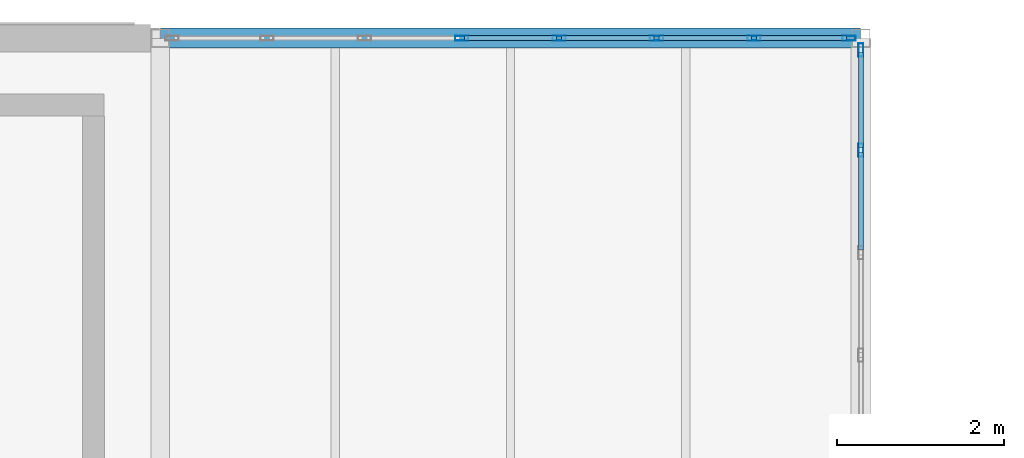
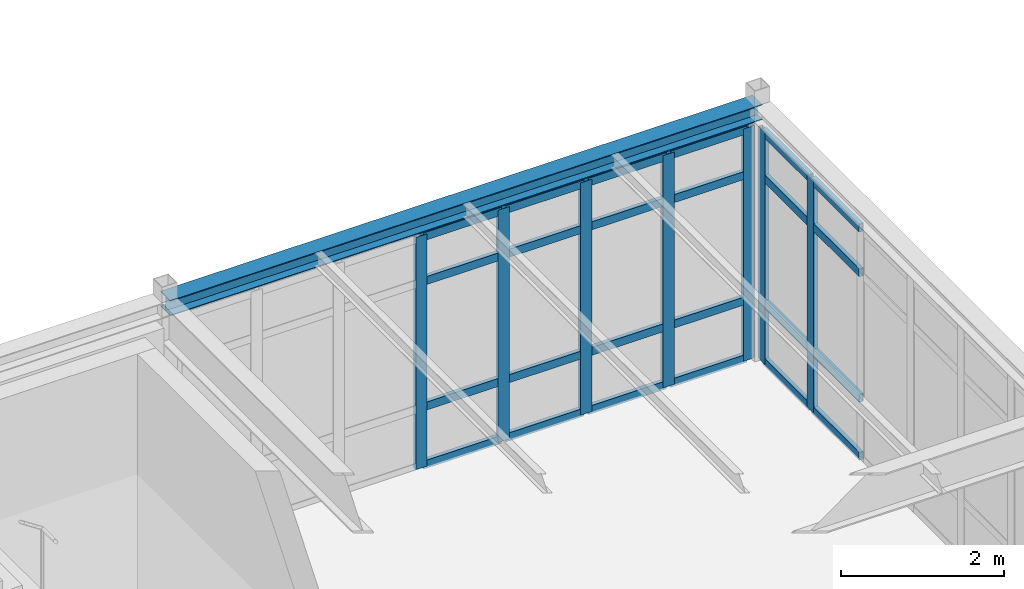
# One storey, part 53 of 114: 31 members, 1 beam, 2 elements without a shape of their own.
"""IFC4 building model written with IfcOpenShell, lengths in metres."""

import ifcopenshell
import ifcopenshell.guid

model = None  # the IFC model being written
_history = None  # IfcOwnerHistory: only IFC2X3 demands one
_inside = {}  # id of a spatial element -> (the spatial element, [elements in it])
_under = {}  # id of a project, library or spatial element -> (it, [spatial elements below it])
_declared = {}  # id of a project -> (the project, [libraries it declares])
_typed = {}  # id of a type object -> (the type object, [elements of that type])
_made_of = {}  # id of a material, layer set ... -> (it, [elements and type objects made of it])


def new_model(schema):
    """Start an empty IFC model of exactly this schema.

    Asked for "IFC4X3", IfcOpenShell would pick the latest addendum, in which some entities
    have other attributes; the version numbers below select the first issue.
    IFC2X3 requires an IfcOwnerHistory on every rooted entity: one is made here for all.
    """
    global model, _history
    if schema == "IFC4X3":
        model = ifcopenshell.file(schema_version=(4, 3, 0, 0))
    else:
        model = ifcopenshell.file(schema=schema)
    _inside.clear()
    _under.clear()
    _declared.clear()
    _typed.clear()
    _made_of.clear()
    _history = None
    if model.schema == "IFC2X3":
        org = make("IfcOrganization", Name="unknown")
        user = make(
            "IfcPersonAndOrganization",
            ThePerson=make("IfcPerson", FamilyName="unknown"),
            TheOrganization=org,
        )
        app = make(
            "IfcApplication",
            ApplicationDeveloper=org,
            Version="unknown",
            ApplicationFullName="unknown",
            ApplicationIdentifier="unknown",
        )
        _history = make(
            "IfcOwnerHistory",
            OwningUser=user,
            OwningApplication=app,
            ChangeAction="ADDED",
            CreationDate=0,
        )
    return model


def make(cls, **values):
    """One entity of the class cls with the attributes given. An attribute that is None is left unset."""
    return model.create_entity(
        cls, **{name: value for name, value in values.items() if value is not None}
    )


def rooted(cls, **values):
    """An entity with a GlobalId (a new one), such as an element, a storey or a relation."""
    return make(cls, GlobalId=ifcopenshell.guid.new(), OwnerHistory=_history, **values)


def si_unit(unit_type, name, prefix=None):
    """IfcSIUnit, for example si_unit("LENGTHUNIT", "METRE", prefix="MILLI")."""
    return make("IfcSIUnit", UnitType=unit_type, Prefix=prefix, Name=name)


def assignment(units):
    """IfcUnitAssignment: the units of a project."""
    return None if units is None else make("IfcUnitAssignment", Units=units)


def point(xyz):
    """IfcCartesianPoint."""
    return None if xyz is None else make("IfcCartesianPoint", Coordinates=xyz)


def direction(xyz):
    """IfcDirection."""
    return None if xyz is None else make("IfcDirection", DirectionRatios=xyz)


def frame(location, z_axis=None, x_axis=None):
    """IfcAxis2Placement3D, a coordinate frame: its origin and axes. An axis left out is left unset."""
    return make(
        "IfcAxis2Placement3D",
        Location=point(location),
        Axis=direction(z_axis),
        RefDirection=direction(x_axis),
    )


def frame_2d(location, x_axis=None):
    """IfcAxis2Placement2D, a coordinate frame in the plane: its origin and x axis."""
    return make(
        "IfcAxis2Placement2D", Location=point(location), RefDirection=direction(x_axis)
    )


def origin():
    """The frame at (0, 0, 0) with its axes left unset."""
    return frame((0.0, 0.0, 0.0))


def origin_2d():
    """The frame at (0, 0) in the plane with its x axis left unset."""
    return frame_2d((0.0, 0.0))


def place(relative_to, where):
    """IfcLocalPlacement: puts the frame where relative to a parent placement (None: the world)."""
    return make(
        "IfcLocalPlacement", PlacementRelTo=relative_to, RelativePlacement=where
    )


def context(
    kind, dimensions, precision=None, world=None, true_north=None, identifier=None
):
    """IfcGeometricRepresentationContext, for example the 3D "Model" context."""
    return make(
        "IfcGeometricRepresentationContext",
        ContextIdentifier=identifier,
        ContextType=kind,
        CoordinateSpaceDimension=dimensions,
        Precision=precision,
        WorldCoordinateSystem=world,
        TrueNorth=true_north,
    )


def subcontext(parent, identifier, kind, view, scale=None):
    """IfcGeometricRepresentationSubContext, for example "Body" below "Model"."""
    return make(
        "IfcGeometricRepresentationSubContext",
        ContextIdentifier=identifier,
        ContextType=kind,
        ParentContext=parent,
        TargetScale=scale,
        TargetView=view,
    )


def project(units=None, contexts=None):
    """IfcProject with its units and contexts."""
    return rooted(
        "IfcProject",
        Name="project",
        RepresentationContexts=contexts,
        UnitsInContext=assignment(units),
    )


def spatial(cls, under=None, at=None, **own):
    """A site, building, storey or space (cls), placed at a placement, below another one or the project."""
    s = rooted(cls, ObjectPlacement=at, **own)
    if under is not None:
        _under.setdefault(under.id(), (under, []))[1].append(s)
    return s


def profile(cls, at=None, kind="AREA", **sizes):
    """A parametric profile (cls). Its sizes go by their IFC names, for example OverallWidth=200.0."""
    return make(cls, ProfileType=kind, Position=at, **sizes)


def hollow_rectangle(**sizes):
    """IfcRectangleHollowProfileDef."""
    return profile("IfcRectangleHollowProfileDef", **sizes)


def i_section(**sizes):
    """IfcIShapeProfileDef."""
    return profile("IfcIShapeProfileDef", **sizes)


def extrude(swept, where, along, depth):
    """IfcExtrudedAreaSolid: the profile swept, set in the frame where, extruded along a direction by depth."""
    return make(
        "IfcExtrudedAreaSolid",
        SweptArea=swept,
        Position=where,
        ExtrudedDirection=direction(along),
        Depth=depth,
    )


def shape(context_of_items, identifier, shape_type, items):
    """IfcShapeRepresentation: the items that make up one representation, for example the "Body"."""
    return make(
        "IfcShapeRepresentation",
        ContextOfItems=context_of_items,
        RepresentationIdentifier=identifier,
        RepresentationType=shape_type,
        Items=items,
    )


def material(Name=None, Category=None):
    """IfcMaterial."""
    return make("IfcMaterial", Name=Name, Category=Category)


def layer(
    of_material, thickness, ventilated=None, Name=None, Category=None, Priority=None
):
    """IfcMaterialLayer: one layer of a wall or slab, of a material (None: an air gap)."""
    return make(
        "IfcMaterialLayer",
        Material=of_material,
        LayerThickness=thickness,
        IsVentilated=ventilated,
        Name=Name,
        Category=Category,
        Priority=Priority,
    )


def layer_set(layers, Name=None):
    """IfcMaterialLayerSet."""
    return make("IfcMaterialLayerSet", MaterialLayers=layers, LayerSetName=Name)


def material_profile(
    of_material, cross_section, Name=None, Category=None, Priority=None
):
    """IfcMaterialProfile: a cross section and its material."""
    return make(
        "IfcMaterialProfile",
        Name=Name,
        Material=of_material,
        Profile=cross_section,
        Priority=Priority,
        Category=Category,
    )


def profile_set(profiles, Name=None, composite=None):
    """IfcMaterialProfileSet."""
    return make(
        "IfcMaterialProfileSet",
        Name=Name,
        MaterialProfiles=profiles,
        CompositeProfile=composite,
    )


def made_of(thing, what):
    """Note that an element or type object is made of a material, layer set ...; save() writes the relation."""
    if what is not None:
        _made_of.setdefault(what.id(), (what, []))[1].append(thing)
    return thing


def type_object(cls, material=None, **own):
    """A type object (cls), such as IfcWallType, which elements share."""
    return made_of(rooted(cls, **own), material)


def element(
    cls,
    number,
    at=None,
    inside=None,
    cuts=None,
    type_object=None,
    material=None,
    context=None,
    identifier="Body",
    shape_type=None,
    held_by="IfcProductDefinitionShape",
    body=None,
    shapes=None,
    **own,
):
    """One element of the class cls, such as IfcWall. Its Tag is "e" and its number.

    at: its placement. inside: the storey or other place that contains it. cuts: it is an
    opening in that element (IfcRelVoidsElement). A single representation is given by context,
    identifier, shape_type and body (its items); several are given by shapes. held_by: the class
    of the entity that holds the representations. save() writes the other relations.
    """
    e = rooted(cls, Tag="e%d" % number, ObjectPlacement=at, **own)
    if body is not None:
        shapes = [shape(context, identifier, shape_type, body)]
    if shapes is not None:
        e.Representation = make(held_by, Representations=shapes)
    if inside is not None:
        _inside.setdefault(inside.id(), (inside, []))[1].append(e)
    if cuts is not None:
        rooted(
            "IfcRelVoidsElement", RelatingBuildingElement=cuts, RelatedOpeningElement=e
        )
    if type_object is not None:
        _typed.setdefault(type_object.id(), (type_object, []))[1].append(e)
    return made_of(e, material)


def aggregate(whole, parts):
    """IfcRelAggregates: a whole, such as a stair, and the parts it consists of."""
    return rooted("IfcRelAggregates", RelatingObject=whole, RelatedObjects=parts)


def save(model, path):
    """Write the relations noted so far, then the file.

    IfcRelAggregates (storeys below a building ...), IfcRelContainedInSpatialStructure (elements
    in a storey), IfcRelDefinesByType, IfcRelAssociatesMaterial and IfcRelDeclares: one each for
    every whole, place, type object, material and project.
    """
    for whole, parts in _under.values():
        aggregate(whole, parts)
    for where, things in _inside.values():
        rooted(
            "IfcRelContainedInSpatialStructure",
            RelatedElements=things,
            RelatingStructure=where,
        )
    for kind, things in _typed.values():
        rooted("IfcRelDefinesByType", RelatedObjects=things, RelatingType=kind)
    for what, things in _made_of.values():
        rooted("IfcRelAssociatesMaterial", RelatedObjects=things, RelatingMaterial=what)
    for by, libraries in _declared.values():
        rooted("IfcRelDeclares", RelatingContext=by, RelatedDefinitions=libraries)
    model.write(path)


model = new_model("IFC4")

# Units and contexts
model_context = context("Model", 3, precision=1e-05, world=origin(), true_north=direction((0.0, 1.0)))
body_context = subcontext(model_context, "Body", "Model", "MODEL_VIEW")
ifc_project = project(units=[si_unit("LENGTHUNIT", "METRE"), si_unit("AREAUNIT", "SQUARE_METRE"), si_unit("VOLUMEUNIT", "CUBIC_METRE"), si_unit("PLANEANGLEUNIT", "RADIAN"), si_unit("MASSUNIT", "GRAM", prefix="KILO")], contexts=[model_context])

# Site, building, storey
site_placement = place(None, origin())
site = spatial("IfcSite", under=ifc_project, at=site_placement, CompositionType="ELEMENT")
building_placement = place(site_placement, origin())
building = spatial("IfcBuilding", under=site, at=building_placement, Name="Montecoro Central Library", CompositionType="ELEMENT")
storey_placement = place(building_placement, frame((0.0, 0.0, 13.260009765625)))
storey = spatial("IfcBuildingStorey", under=building, at=storey_placement, Name="L03", CompositionType="ELEMENT", Elevation=13.260009765625)

# Beam
ifc_material_1 = material(Name="Steel S355", Category="steel")
ifc_material_profile_1 = material_profile(ifc_material_1, i_section(OverallWidth=0.239990234375, OverallDepth=0.22998046875, WebThickness=0.007568359375, FlangeThickness=0.011962890625, at=origin_2d()), Name="HEA 240")
ifc_profile_set_1 = profile_set([ifc_material_profile_1], Name="Steel S355")
beam_type = type_object("IfcBeamType", Name="BM-SP-HEA240", PredefinedType="SPANDREL", material=ifc_profile_set_1)
beam_placement = place(storey_placement, frame((108.405029296875, 119.0, 3.7099609375), z_axis=(1.0, 0.0, 0.0), x_axis=(0.0, 1.0, 0.0)))
element("IfcBeam", 1, at=beam_placement, inside=storey, type_object=beam_type, Name="V2-L03-BX-1415-R", PredefinedType="SPANDREL", context=body_context, shape_type="SweptSolid", body=[
    extrude(i_section(OverallWidth=0.239990234375, OverallDepth=0.22998046875, WebThickness=0.007568359375, FlangeThickness=0.011962890625, at=origin_2d()), origin(), (0.0, 0.0, 1.0), 8.389892578125),
])

# Curtain wall, members
ifc_material_2 = material(Name="Bronze-anodised aluminium and low-E glazing", Category="aluminium")
ifc_layer_1 = layer(ifc_material_2, 0.159912109375)
ifc_layer_set_1 = layer_set([ifc_layer_1], Name="Bronze-anodised aluminium and low-E glazing")
curtain_wall_type_1 = type_object("IfcCurtainWallType", Name="CWT-018", PredefinedType="NOTDEFINED", material=ifc_layer_set_1)
curtain_wall_1_placement = place(storey_placement, origin())
curtain_wall_1 = element("IfcCurtainWall", 2, at=curtain_wall_1_placement, inside=storey, type_object=curtain_wall_type_1, Name="V2-L03-CW-E3", PredefinedType="NOTDEFINED")
ifc_material_3 = material(Name="Bronze-anodised aluminium", Category="aluminium")
ifc_material_profile_2 = material_profile(ifc_material_3, hollow_rectangle(XDim=0.06005859375, YDim=0.159912109375, WallThickness=0.00390625, at=origin_2d()), Name="CWM 160x60x4.0")
ifc_profile_set_2 = profile_set([ifc_material_profile_2], Name="Bronze-anodised aluminium")
member_type_1 = type_object("IfcMemberType", Name="CWM-BRZ-60", PredefinedType="MULLION", material=ifc_profile_set_2)
member_1_placement = place(storey_placement, frame((116.800048828125, 117.657958984375, 0.0), z_axis=(0.0, 0.0, 1.0), x_axis=(-1.0, 0.0, 0.0)))
member_1 = element("IfcMember", 3, at=member_1_placement, type_object=member_type_1, Name="CW-018 mullion 6", PredefinedType="MULLION", context=body_context, shape_type="SweptSolid", body=[
    extrude(hollow_rectangle(XDim=0.06005859375, YDim=0.159912109375, WallThickness=0.00390625, at=origin_2d()), origin(), (0.0, 0.0, 1.0), 3.47998046875),
])
member_2_placement = place(storey_placement, frame((116.800048828125, 118.85693359375, 0.0), z_axis=(0.0, 0.0, 1.0), x_axis=(-1.0, 0.0, 0.0)))
member_2 = element("IfcMember", 4, at=member_2_placement, type_object=member_type_1, Name="CW-018 mullion 7", PredefinedType="MULLION", context=body_context, shape_type="SweptSolid", body=[
    extrude(hollow_rectangle(XDim=0.06005859375, YDim=0.159912109375, WallThickness=0.00390625, at=origin_2d()), origin(), (0.0, 0.0, 1.0), 3.47998046875),
])

ifc_layer_2 = layer(ifc_material_2, 0.159912109375)
ifc_layer_set_2 = layer_set([ifc_layer_2], Name="Bronze-anodised aluminium and low-E glazing")
curtain_wall_type_2 = type_object("IfcCurtainWallType", Name="CWT-019", PredefinedType="NOTDEFINED", material=ifc_layer_set_2)
curtain_wall_2_placement = place(storey_placement, origin())
curtain_wall_2 = element("IfcCurtainWall", 5, at=curtain_wall_2_placement, inside=storey, type_object=curtain_wall_type_2, Name="V2-L03-CW-N5", PredefinedType="NOTDEFINED")
member_3_placement = place(storey_placement, frame((116.656982421875, 119.0, 0.0), z_axis=(0.0, 0.0, 1.0), x_axis=(0.0, -1.0, 0.0)))
member_3 = element("IfcMember", 6, at=member_3_placement, type_object=member_type_1, Name="CW-019 mullion 1", PredefinedType="MULLION", context=body_context, shape_type="SweptSolid", body=[
    extrude(hollow_rectangle(XDim=0.06005859375, YDim=0.159912109375, WallThickness=0.00390625, at=origin_2d()), origin(), (0.0, 0.0, 1.0), 3.47998046875),
])
member_4_placement = place(storey_placement, frame((115.519287109375, 119.0, 0.0), z_axis=(0.0, 0.0, 1.0), x_axis=(0.0, -1.0, 0.0)))
member_4 = element("IfcMember", 7, at=member_4_placement, type_object=member_type_1, Name="CW-019 mullion 2", PredefinedType="MULLION", context=body_context, shape_type="SweptSolid", body=[
    extrude(hollow_rectangle(XDim=0.06005859375, YDim=0.159912109375, WallThickness=0.00390625, at=origin_2d()), origin(), (0.0, 0.0, 1.0), 3.47998046875),
])
member_5_placement = place(storey_placement, frame((114.3515625, 119.0, 0.0), z_axis=(0.0, 0.0, 1.0), x_axis=(0.0, -1.0, 0.0)))
member_5 = element("IfcMember", 8, at=member_5_placement, type_object=member_type_1, Name="CW-019 mullion 3", PredefinedType="MULLION", context=body_context, shape_type="SweptSolid", body=[
    extrude(hollow_rectangle(XDim=0.06005859375, YDim=0.159912109375, WallThickness=0.00390625, at=origin_2d()), origin(), (0.0, 0.0, 1.0), 3.47998046875),
])
member_6_placement = place(storey_placement, frame((113.183837890625, 119.0, 0.0), z_axis=(0.0, 0.0, 1.0), x_axis=(0.0, -1.0, 0.0)))
member_6 = element("IfcMember", 9, at=member_6_placement, type_object=member_type_1, Name="CW-019 mullion 4", PredefinedType="MULLION", context=body_context, shape_type="SweptSolid", body=[
    extrude(hollow_rectangle(XDim=0.06005859375, YDim=0.159912109375, WallThickness=0.00390625, at=origin_2d()), origin(), (0.0, 0.0, 1.0), 3.47998046875),
])
member_7_placement = place(storey_placement, frame((112.01611328125, 119.0, 0.0), z_axis=(0.0, 0.0, 1.0), x_axis=(0.0, -1.0, 0.0)))
member_7 = element("IfcMember", 10, at=member_7_placement, type_object=member_type_1, Name="CW-019 mullion 5", PredefinedType="MULLION", context=body_context, shape_type="SweptSolid", body=[
    extrude(hollow_rectangle(XDim=0.06005859375, YDim=0.159912109375, WallThickness=0.00390625, at=origin_2d()), origin(), (0.0, 0.0, 1.0), 3.47998046875),
])

# Member
ifc_material_profile_3 = material_profile(ifc_material_3, hollow_rectangle(XDim=0.06005859375, YDim=0.1201171875, WallThickness=0.00390625, at=origin_2d()), Name="CWT 120x60x4.0")
ifc_profile_set_3 = profile_set([ifc_material_profile_3], Name="Bronze-anodised aluminium")
member_type_2 = type_object("IfcMemberType", Name="CWT-BRZ-60", PredefinedType="USERDEFINED", material=ifc_profile_set_3)
member_8_placement = place(storey_placement, frame((116.800048828125, 116.458984375, 0.030029296875), z_axis=(0.0, 1.0, 0.0), x_axis=(-1.0, 0.0, 0.0)))
member_8 = element("IfcMember", 11, at=member_8_placement, type_object=member_type_2, Name="CW-018 transom 5.1", ObjectType="TRANSOM", PredefinedType="USERDEFINED", context=body_context, shape_type="SweptSolid", body=[
    extrude(hollow_rectangle(XDim=0.06005859375, YDim=0.1201171875, WallThickness=0.00390625, at=origin_2d()), origin(), (0.0, 0.0, 1.0), 1.1689453125),
])

member_9_placement = place(storey_placement, frame((116.800048828125, 116.458984375, 0.89990234375), z_axis=(0.0, 1.0, 0.0), x_axis=(-1.0, 0.0, 0.0)))
member_9 = element("IfcMember", 12, at=member_9_placement, type_object=member_type_2, Name="CW-018 transom 5.2", ObjectType="TRANSOM", PredefinedType="USERDEFINED", context=body_context, shape_type="SweptSolid", body=[
    extrude(hollow_rectangle(XDim=0.06005859375, YDim=0.1201171875, WallThickness=0.00390625, at=origin_2d()), origin(), (0.0, 0.0, 1.0), 1.1689453125),
])

member_10_placement = place(storey_placement, frame((116.800048828125, 116.458984375, 2.780029296875), z_axis=(0.0, 1.0, 0.0), x_axis=(-1.0, 0.0, 0.0)))
member_10 = element("IfcMember", 13, at=member_10_placement, type_object=member_type_2, Name="CW-018 transom 5.3", ObjectType="TRANSOM", PredefinedType="USERDEFINED", context=body_context, shape_type="SweptSolid", body=[
    extrude(hollow_rectangle(XDim=0.06005859375, YDim=0.1201171875, WallThickness=0.00390625, at=origin_2d()), origin(), (0.0, 0.0, 1.0), 1.1689453125),
])

member_11_placement = place(storey_placement, frame((116.800048828125, 116.458984375, 3.449951171875), z_axis=(0.0, 1.0, 0.0), x_axis=(-1.0, 0.0, 0.0)))
member_11 = element("IfcMember", 14, at=member_11_placement, type_object=member_type_2, Name="CW-018 transom 5.4", ObjectType="TRANSOM", PredefinedType="USERDEFINED", context=body_context, shape_type="SweptSolid", body=[
    extrude(hollow_rectangle(XDim=0.06005859375, YDim=0.1201171875, WallThickness=0.00390625, at=origin_2d()), origin(), (0.0, 0.0, 1.0), 1.1689453125),
])

member_12_placement = place(storey_placement, frame((116.800048828125, 117.68798828125, 0.030029296875), z_axis=(0.0, 1.0, 0.0), x_axis=(-1.0, 0.0, 0.0)))
member_12 = element("IfcMember", 15, at=member_12_placement, type_object=member_type_2, Name="CW-018 transom 6.1", ObjectType="TRANSOM", PredefinedType="USERDEFINED", context=body_context, shape_type="SweptSolid", body=[
    extrude(hollow_rectangle(XDim=0.06005859375, YDim=0.1201171875, WallThickness=0.00390625, at=origin_2d()), origin(), (0.0, 0.0, 1.0), 1.138916015625),
])

member_13_placement = place(storey_placement, frame((116.800048828125, 117.68798828125, 0.89990234375), z_axis=(0.0, 1.0, 0.0), x_axis=(-1.0, 0.0, 0.0)))
member_13 = element("IfcMember", 16, at=member_13_placement, type_object=member_type_2, Name="CW-018 transom 6.2", ObjectType="TRANSOM", PredefinedType="USERDEFINED", context=body_context, shape_type="SweptSolid", body=[
    extrude(hollow_rectangle(XDim=0.06005859375, YDim=0.1201171875, WallThickness=0.00390625, at=origin_2d()), origin(), (0.0, 0.0, 1.0), 1.138916015625),
])

member_14_placement = place(storey_placement, frame((116.800048828125, 117.68798828125, 2.780029296875), z_axis=(0.0, 1.0, 0.0), x_axis=(-1.0, 0.0, 0.0)))
member_14 = element("IfcMember", 17, at=member_14_placement, type_object=member_type_2, Name="CW-018 transom 6.3", ObjectType="TRANSOM", PredefinedType="USERDEFINED", context=body_context, shape_type="SweptSolid", body=[
    extrude(hollow_rectangle(XDim=0.06005859375, YDim=0.1201171875, WallThickness=0.00390625, at=origin_2d()), origin(), (0.0, 0.0, 1.0), 1.138916015625),
])

member_15_placement = place(storey_placement, frame((116.800048828125, 117.68798828125, 3.449951171875), z_axis=(0.0, 1.0, 0.0), x_axis=(-1.0, 0.0, 0.0)))
member_15 = element("IfcMember", 18, at=member_15_placement, type_object=member_type_2, Name="CW-018 transom 6.4", ObjectType="TRANSOM", PredefinedType="USERDEFINED", context=body_context, shape_type="SweptSolid", body=[
    extrude(hollow_rectangle(XDim=0.06005859375, YDim=0.1201171875, WallThickness=0.00390625, at=origin_2d()), origin(), (0.0, 0.0, 1.0), 1.138916015625),
])

aggregate(curtain_wall_1, [member_1, member_2, member_8, member_9, member_10, member_11, member_12, member_13, member_14, member_15])

member_16_placement = place(storey_placement, frame((116.626953125, 119.0, 0.030029296875), z_axis=(-1.0, 0.0, 0.0), x_axis=(0.0, -1.0, 0.0)))
member_16 = element("IfcMember", 19, at=member_16_placement, type_object=member_type_2, Name="CW-019 transom 1.1", ObjectType="TRANSOM", PredefinedType="USERDEFINED", context=body_context, shape_type="SweptSolid", body=[
    extrude(hollow_rectangle(XDim=0.06005859375, YDim=0.1201171875, WallThickness=0.00390625, at=origin_2d()), origin(), (0.0, 0.0, 1.0), 1.07763671875),
])

member_17_placement = place(storey_placement, frame((116.626953125, 119.0, 0.89990234375), z_axis=(-1.0, 0.0, 0.0), x_axis=(0.0, -1.0, 0.0)))
member_17 = element("IfcMember", 20, at=member_17_placement, type_object=member_type_2, Name="CW-019 transom 1.2", ObjectType="TRANSOM", PredefinedType="USERDEFINED", context=body_context, shape_type="SweptSolid", body=[
    extrude(hollow_rectangle(XDim=0.06005859375, YDim=0.1201171875, WallThickness=0.00390625, at=origin_2d()), origin(), (0.0, 0.0, 1.0), 1.07763671875),
])

member_18_placement = place(storey_placement, frame((116.626953125, 119.0, 2.780029296875), z_axis=(-1.0, 0.0, 0.0), x_axis=(0.0, -1.0, 0.0)))
member_18 = element("IfcMember", 21, at=member_18_placement, type_object=member_type_2, Name="CW-019 transom 1.3", ObjectType="TRANSOM", PredefinedType="USERDEFINED", context=body_context, shape_type="SweptSolid", body=[
    extrude(hollow_rectangle(XDim=0.06005859375, YDim=0.1201171875, WallThickness=0.00390625, at=origin_2d()), origin(), (0.0, 0.0, 1.0), 1.07763671875),
])

member_19_placement = place(storey_placement, frame((116.626953125, 119.0, 3.449951171875), z_axis=(-1.0, 0.0, 0.0), x_axis=(0.0, -1.0, 0.0)))
member_19 = element("IfcMember", 22, at=member_19_placement, type_object=member_type_2, Name="CW-019 transom 1.4", ObjectType="TRANSOM", PredefinedType="USERDEFINED", context=body_context, shape_type="SweptSolid", body=[
    extrude(hollow_rectangle(XDim=0.06005859375, YDim=0.1201171875, WallThickness=0.00390625, at=origin_2d()), origin(), (0.0, 0.0, 1.0), 1.07763671875),
])

member_20_placement = place(storey_placement, frame((115.4892578125, 119.0, 0.030029296875), z_axis=(-1.0, 0.0, 0.0), x_axis=(0.0, -1.0, 0.0)))
member_20 = element("IfcMember", 23, at=member_20_placement, type_object=member_type_2, Name="CW-019 transom 2.1", ObjectType="TRANSOM", PredefinedType="USERDEFINED", context=body_context, shape_type="SweptSolid", body=[
    extrude(hollow_rectangle(XDim=0.06005859375, YDim=0.1201171875, WallThickness=0.00390625, at=origin_2d()), origin(), (0.0, 0.0, 1.0), 1.107666015625),
])

member_21_placement = place(storey_placement, frame((115.4892578125, 119.0, 0.89990234375), z_axis=(-1.0, 0.0, 0.0), x_axis=(0.0, -1.0, 0.0)))
member_21 = element("IfcMember", 24, at=member_21_placement, type_object=member_type_2, Name="CW-019 transom 2.2", ObjectType="TRANSOM", PredefinedType="USERDEFINED", context=body_context, shape_type="SweptSolid", body=[
    extrude(hollow_rectangle(XDim=0.06005859375, YDim=0.1201171875, WallThickness=0.00390625, at=origin_2d()), origin(), (0.0, 0.0, 1.0), 1.107666015625),
])

member_22_placement = place(storey_placement, frame((115.4892578125, 119.0, 2.780029296875), z_axis=(-1.0, 0.0, 0.0), x_axis=(0.0, -1.0, 0.0)))
member_22 = element("IfcMember", 25, at=member_22_placement, type_object=member_type_2, Name="CW-019 transom 2.3", ObjectType="TRANSOM", PredefinedType="USERDEFINED", context=body_context, shape_type="SweptSolid", body=[
    extrude(hollow_rectangle(XDim=0.06005859375, YDim=0.1201171875, WallThickness=0.00390625, at=origin_2d()), origin(), (0.0, 0.0, 1.0), 1.107666015625),
])

member_23_placement = place(storey_placement, frame((115.4892578125, 119.0, 3.449951171875), z_axis=(-1.0, 0.0, 0.0), x_axis=(0.0, -1.0, 0.0)))
member_23 = element("IfcMember", 26, at=member_23_placement, type_object=member_type_2, Name="CW-019 transom 2.4", ObjectType="TRANSOM", PredefinedType="USERDEFINED", context=body_context, shape_type="SweptSolid", body=[
    extrude(hollow_rectangle(XDim=0.06005859375, YDim=0.1201171875, WallThickness=0.00390625, at=origin_2d()), origin(), (0.0, 0.0, 1.0), 1.107666015625),
])

member_24_placement = place(storey_placement, frame((114.321533203125, 119.0, 0.030029296875), z_axis=(-1.0, 0.0, 0.0), x_axis=(0.0, -1.0, 0.0)))
member_24 = element("IfcMember", 27, at=member_24_placement, type_object=member_type_2, Name="CW-019 transom 3.1", ObjectType="TRANSOM", PredefinedType="USERDEFINED", context=body_context, shape_type="SweptSolid", body=[
    extrude(hollow_rectangle(XDim=0.06005859375, YDim=0.1201171875, WallThickness=0.00390625, at=origin_2d()), origin(), (0.0, 0.0, 1.0), 1.107666015625),
])

member_25_placement = place(storey_placement, frame((114.321533203125, 119.0, 0.89990234375), z_axis=(-1.0, 0.0, 0.0), x_axis=(0.0, -1.0, 0.0)))
member_25 = element("IfcMember", 28, at=member_25_placement, type_object=member_type_2, Name="CW-019 transom 3.2", ObjectType="TRANSOM", PredefinedType="USERDEFINED", context=body_context, shape_type="SweptSolid", body=[
    extrude(hollow_rectangle(XDim=0.06005859375, YDim=0.1201171875, WallThickness=0.00390625, at=origin_2d()), origin(), (0.0, 0.0, 1.0), 1.107666015625),
])

member_26_placement = place(storey_placement, frame((114.321533203125, 119.0, 2.780029296875), z_axis=(-1.0, 0.0, 0.0), x_axis=(0.0, -1.0, 0.0)))
member_26 = element("IfcMember", 29, at=member_26_placement, type_object=member_type_2, Name="CW-019 transom 3.3", ObjectType="TRANSOM", PredefinedType="USERDEFINED", context=body_context, shape_type="SweptSolid", body=[
    extrude(hollow_rectangle(XDim=0.06005859375, YDim=0.1201171875, WallThickness=0.00390625, at=origin_2d()), origin(), (0.0, 0.0, 1.0), 1.107666015625),
])

member_27_placement = place(storey_placement, frame((114.321533203125, 119.0, 3.449951171875), z_axis=(-1.0, 0.0, 0.0), x_axis=(0.0, -1.0, 0.0)))
member_27 = element("IfcMember", 30, at=member_27_placement, type_object=member_type_2, Name="CW-019 transom 3.4", ObjectType="TRANSOM", PredefinedType="USERDEFINED", context=body_context, shape_type="SweptSolid", body=[
    extrude(hollow_rectangle(XDim=0.06005859375, YDim=0.1201171875, WallThickness=0.00390625, at=origin_2d()), origin(), (0.0, 0.0, 1.0), 1.107666015625),
])

member_28_placement = place(storey_placement, frame((113.15380859375, 119.0, 0.030029296875), z_axis=(-1.0, 0.0, 0.0), x_axis=(0.0, -1.0, 0.0)))
member_28 = element("IfcMember", 31, at=member_28_placement, type_object=member_type_2, Name="CW-019 transom 4.1", ObjectType="TRANSOM", PredefinedType="USERDEFINED", context=body_context, shape_type="SweptSolid", body=[
    extrude(hollow_rectangle(XDim=0.06005859375, YDim=0.1201171875, WallThickness=0.00390625, at=origin_2d()), origin(), (0.0, 0.0, 1.0), 1.107666015625),
])

member_29_placement = place(storey_placement, frame((113.15380859375, 119.0, 0.89990234375), z_axis=(-1.0, 0.0, 0.0), x_axis=(0.0, -1.0, 0.0)))
member_29 = element("IfcMember", 32, at=member_29_placement, type_object=member_type_2, Name="CW-019 transom 4.2", ObjectType="TRANSOM", PredefinedType="USERDEFINED", context=body_context, shape_type="SweptSolid", body=[
    extrude(hollow_rectangle(XDim=0.06005859375, YDim=0.1201171875, WallThickness=0.00390625, at=origin_2d()), origin(), (0.0, 0.0, 1.0), 1.107666015625),
])

member_30_placement = place(storey_placement, frame((113.15380859375, 119.0, 2.780029296875), z_axis=(-1.0, 0.0, 0.0), x_axis=(0.0, -1.0, 0.0)))
member_30 = element("IfcMember", 33, at=member_30_placement, type_object=member_type_2, Name="CW-019 transom 4.3", ObjectType="TRANSOM", PredefinedType="USERDEFINED", context=body_context, shape_type="SweptSolid", body=[
    extrude(hollow_rectangle(XDim=0.06005859375, YDim=0.1201171875, WallThickness=0.00390625, at=origin_2d()), origin(), (0.0, 0.0, 1.0), 1.107666015625),
])

member_31_placement = place(storey_placement, frame((113.15380859375, 119.0, 3.449951171875), z_axis=(-1.0, 0.0, 0.0), x_axis=(0.0, -1.0, 0.0)))
member_31 = element("IfcMember", 34, at=member_31_placement, type_object=member_type_2, Name="CW-019 transom 4.4", ObjectType="TRANSOM", PredefinedType="USERDEFINED", context=body_context, shape_type="SweptSolid", body=[
    extrude(hollow_rectangle(XDim=0.06005859375, YDim=0.1201171875, WallThickness=0.00390625, at=origin_2d()), origin(), (0.0, 0.0, 1.0), 1.107666015625),
])

aggregate(curtain_wall_2, [member_3, member_4, member_5, member_6, member_7, member_16, member_17, member_18, member_19, member_20, member_21, member_22, member_23, member_24, member_25, member_26, member_27, member_28, member_29, member_30, member_31])

save(model, "model.ifc")
